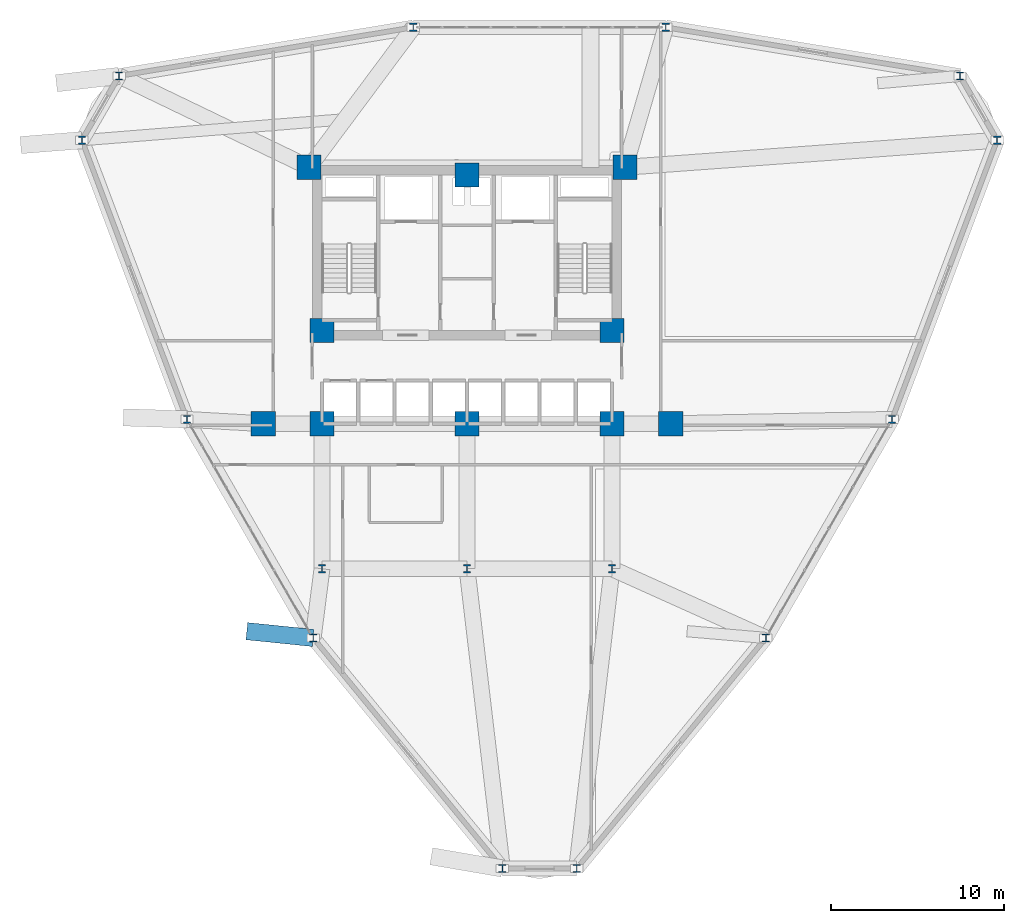
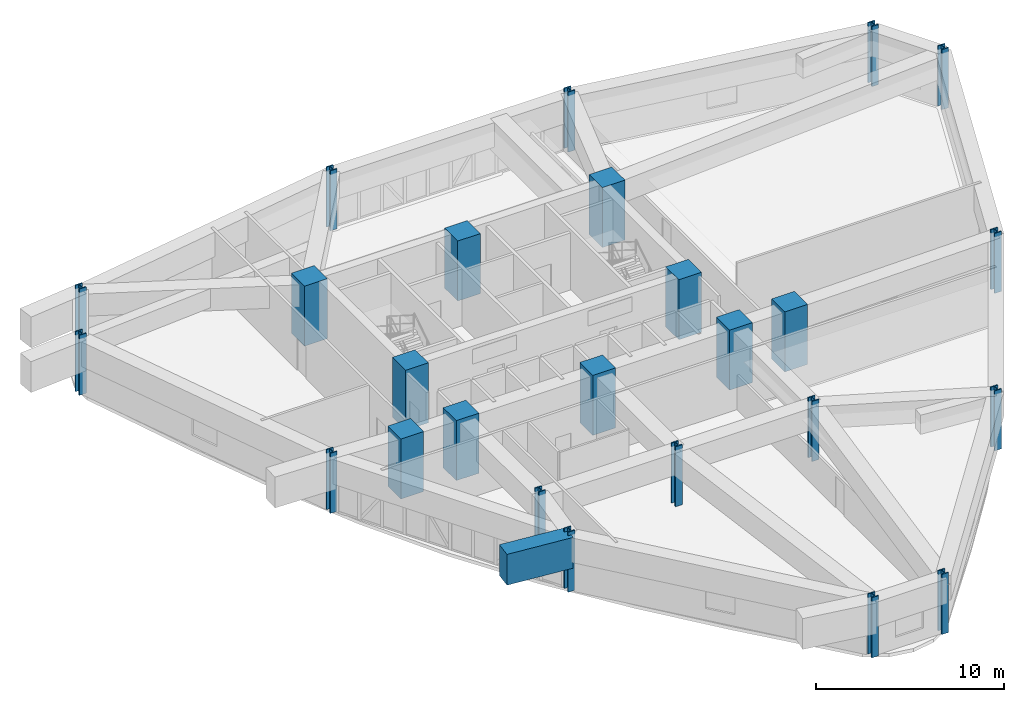
# One storey, part 1 of 18: 25 columns, 1 beam.
"""IFC4 building model written with IfcOpenShell, lengths in metres."""

from ifc_helpers import new_model, si_unit, derived_unit, direction, frame, origin, origin_2d, place, context, subcontext, project, spatial, rectangle, i_section, extrude, source, transform, mapped, material, material_profile, profile_set, type_object, element, save


model = new_model("IFC4")

# Units and contexts
model_context = context("Model", 3, precision=1e-05, world=origin(), true_north=direction((0.0, 1.0)))
body_context = subcontext(model_context, "Body", "Model", "MODEL_VIEW")
ifc_project = project(units=[si_unit("LENGTHUNIT", "METRE"), si_unit("AREAUNIT", "SQUARE_METRE"), si_unit("VOLUMEUNIT", "CUBIC_METRE"), si_unit("PLANEANGLEUNIT", "RADIAN"), si_unit("MASSUNIT", "GRAM", prefix="KILO"), derived_unit("THERMALTRANSMITTANCEUNIT", [(si_unit("POWERUNIT", "WATT"), 1), (si_unit("LENGTHUNIT", "METRE"), -2), (si_unit("THERMODYNAMICTEMPERATUREUNIT", "KELVIN"), -1)])], contexts=[model_context])

# Site, building, storey
site_placement = place(None, origin())
site = spatial("IfcSite", under=ifc_project, at=site_placement, CompositionType="ELEMENT")
building_placement = place(site_placement, origin())
building = spatial("IfcBuilding", under=site, at=building_placement, Name="Korsvarv Bourse and Concert Hall", CompositionType="ELEMENT")
storey_placement = place(building_placement, frame((0.0, 0.0, 95.10009765625)))
storey = spatial("IfcBuildingStorey", under=building, at=storey_placement, Name="L23", CompositionType="ELEMENT", Elevation=95.10009765625)

# Columns
ifc_material_1 = material(Name="Concrete C60/75", Category="concrete")
ifc_material_profile_1 = material_profile(ifc_material_1, rectangle(XDim=1.39990234375, YDim=1.39990234375, at=origin_2d()), Name="RC 1400x1400")
ifc_profile_set_1 = profile_set([ifc_material_profile_1], Name="Concrete C60/75")
column_type_1 = type_object("IfcColumnType", Name="COL-RC1400", PredefinedType="COLUMN", material=ifc_profile_set_1)
shared_shape_1 = source(origin(), body_context, "Body", "SweptSolid", [
    extrude(rectangle(XDim=1.39990234375, YDim=1.39990234375, at=origin_2d()), origin(), (0.0, 0.0, 1.0), 3.89990234375),
])
for number, where, z_axis, x_axis, name in (
    (1, (26.85009765625, 47.25, 0.0), (0.0, 0.0, 1.0), (1.0, 0.0, 0.0), "L23 column C-01"),
    (2, (45.14990234375, 47.25, 0.0), (0.0, 0.0, 1.0), (1.0, 0.0, 0.0), "L23 column C-01"),
    (3, (27.60009765625, 37.800048828125, 0.0), (0.0, 0.0, 1.0), (1.0, 0.0, 0.0), "L23 column C-01"),
    (4, (44.39990234375, 37.800048828125, 0.0), (0.0, 0.0, 1.0), (1.0, 0.0, 0.0), "L23 column C-01"),
    (5, (27.60009765625, 32.39990234375, 0.0), (0.0, 0.0, 1.0), (1.0, 0.0, 0.0), "L23 column C-01"),
    (6, (44.39990234375, 32.39990234375, 0.0), (0.0, 0.0, 1.0), (1.0, 0.0, 0.0), "L23 column C-01"),
    (7, (36.0, 46.800048828125, 0.0), (0.0, 0.0, 1.0), (1.0, 0.0, 0.0), "L23 column C-01"),
    (8, (36.0, 32.39990234375, 0.0), (0.0, 0.0, 1.0), (1.0, 0.0, 0.0), "L23 column C-01"),
    (9, (24.199951171875, 32.39990234375, 0.0), (0.0, 0.0, 1.0), (1.0, 0.0, 0.0), "L23 column C-01"),
    (10, (47.800048828125, 32.39990234375, 0.0), (0.0, 0.0, 1.0), (1.0, 0.0, 0.0), "L23 column C-01"),
):
    element("IfcColumn", number, at=place(storey_placement, frame(where, z_axis=z_axis, x_axis=x_axis)), inside=storey, type_object=column_type_1, Name=name, PredefinedType="COLUMN", context=body_context, shape_type="MappedRepresentation", body=[
        mapped(shared_shape_1, transform((0.0, 0.0, 0.0), scale=1.0)),
    ])
ifc_material_2 = material(Name="Steel S460", Category="steel")
ifc_material_profile_2 = material_profile(ifc_material_2, i_section(OverallWidth=0.424072265625, OverallDepth=0.47412109375, WebThickness=0.044921875, FlangeThickness=0.072021484375, FilletRadius=0.014892578125, at=origin_2d()), Name="HD 400x634")
ifc_profile_set_2 = profile_set([ifc_material_profile_2], Name="Steel S460")
column_type_2 = type_object("IfcColumnType", Name="COL-HD634", PredefinedType="COLUMN", material=ifc_profile_set_2)
shared_shape_2 = source(origin(), body_context, "Body", "SweptSolid", [
    extrude(i_section(OverallWidth=0.424072265625, OverallDepth=0.47412109375, WebThickness=0.044921875, FlangeThickness=0.072021484375, FilletRadius=0.014892578125, at=origin_2d()), origin(), (0.0, 0.0, 1.0), 3.89990234375),
])
for number, where, z_axis, x_axis, name in (
    (11, (27.60009765625, 24.0, 0.0), (0.0, 0.0, 1.0), (1.0, 0.0, 0.0), "L23 column C-07"),
    (12, (44.39990234375, 24.0, 0.0), (0.0, 0.0, 1.0), (1.0, 0.0, 0.0), "L23 column C-07"),
    (13, (36.0, 24.0, 0.0), (0.0, 0.0, 1.0), (1.0, 0.0, 0.0), "L23 column C-07"),
    (14, (66.705078125, 48.819580078125, 0.0), (0.0, 0.0, 1.0), (1.0, 0.0, 0.0), "L23 column C-07"),
    (15, (64.554443359375, 52.544189453125, 0.0), (0.0, 0.0, 1.0), (1.0, 0.0, 0.0), "L23 column C-07"),
    (16, (47.509033203125, 55.35791015625, 0.0), (0.0, 0.0, 1.0), (1.0, 0.0, 0.0), "L23 column C-07"),
    (17, (32.89111328125, 55.35791015625, 0.0), (0.0, 0.0, 1.0), (1.0, 0.0, 0.0), "L23 column C-07"),
    (18, (15.845458984375, 52.544189453125, 0.0), (0.0, 0.0, 1.0), (1.0, 0.0, 0.0), "L23 column C-07"),
    (19, (13.695068359375, 48.819580078125, 0.0), (0.0, 0.0, 1.0), (1.0, 0.0, 0.0), "L23 column C-07"),
    (20, (19.781005859375, 32.65087890625, 0.0), (0.0, 0.0, 1.0), (1.0, 0.0, 0.0), "L23 column C-07"),
    (21, (27.090087890625, 19.9912109375, 0.0), (0.0, 0.0, 1.0), (1.0, 0.0, 0.0), "L23 column C-07"),
    (22, (38.049560546875, 6.63623046875, 0.0), (0.0, 0.0, 1.0), (1.0, 0.0, 0.0), "L23 column C-07"),
    (23, (42.3505859375, 6.63623046875, 0.0), (0.0, 0.0, 1.0), (1.0, 0.0, 0.0), "L23 column C-07"),
    (24, (53.309814453125, 19.9912109375, 0.0), (0.0, 0.0, 1.0), (1.0, 0.0, 0.0), "L23 column C-07"),
    (25, (60.618896484375, 32.65087890625, 0.0), (0.0, 0.0, 1.0), (1.0, 0.0, 0.0), "L23 column C-07"),
):
    element("IfcColumn", number, at=place(storey_placement, frame(where, z_axis=z_axis, x_axis=x_axis)), inside=storey, type_object=column_type_2, Name=name, PredefinedType="COLUMN", context=body_context, shape_type="MappedRepresentation", body=[
        mapped(shared_shape_2, transform((0.0, 0.0, 0.0), scale=1.0)),
    ])

# Beam
ifc_material_profile_3 = material_profile(ifc_material_1, rectangle(XDim=1.0, YDim=2.0, at=origin_2d()), Name="RC-BM 1000x2000")
ifc_profile_set_3 = profile_set([ifc_material_profile_3], Name="Concrete C60/75")
beam_type = type_object("IfcBeamType", Name="BM-TR1", PredefinedType="BEAM", material=ifc_profile_set_3)
shared_shape_3 = source(origin(), body_context, "Body", "SweptSolid", [
    extrude(rectangle(XDim=1.0, YDim=2.0, at=origin_2d()), origin(), (0.0, 0.0, 1.0), 3.861328125),
])
beam_placement = place(storey_placement, frame((27.090087890625, 19.9912109375, 2.669921875), z_axis=(-0.994843781365, 0.101419182999, 0.0), x_axis=(-0.101419182999, -0.994843781365, 0.0)))
element("IfcBeam", 26, at=beam_placement, inside=storey, type_object=beam_type, Name="L23 Block-Shift Transfer Girder 8", PredefinedType="BEAM", context=body_context, shape_type="MappedRepresentation", body=[
    mapped(shared_shape_3, transform((0.0, 0.0, 0.0), scale=1.0)),
])

save(model, "model.ifc")
